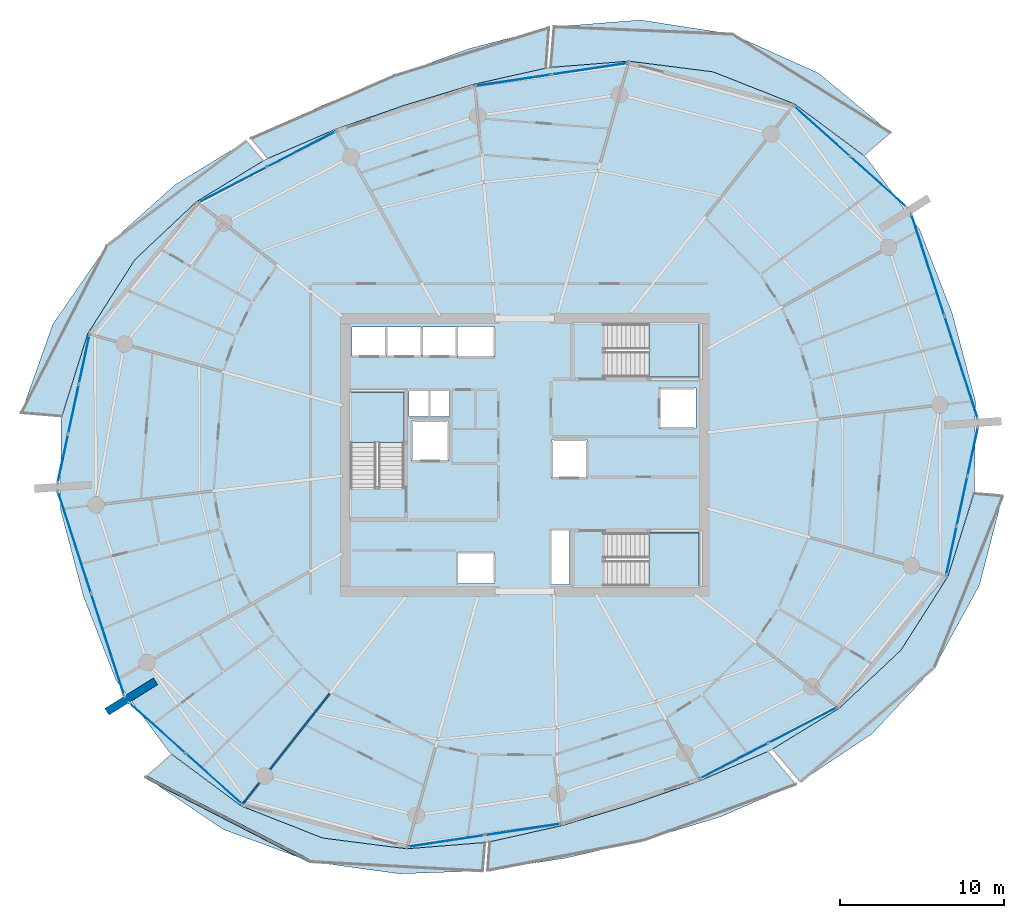
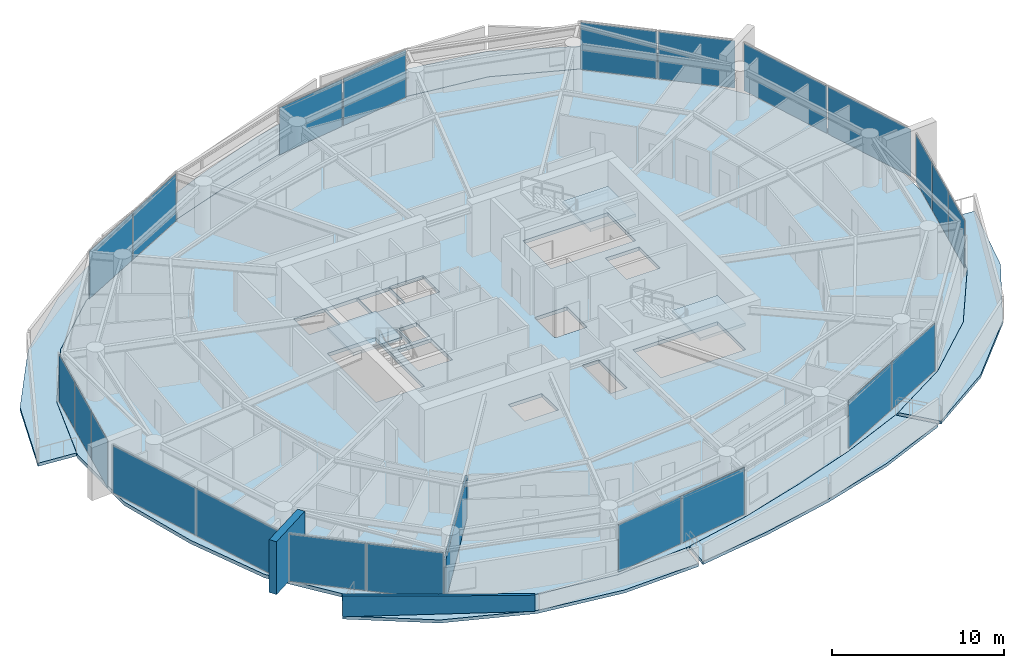
# One storey, part 10 of 21: 22 plates, 10 slabs, 3 walls, 13 elements without a shape of their own.
"""IFC4 building model written with IfcOpenShell, lengths in metres."""

from ifc_helpers import new_model, si_unit, direction, frame, frame_2d, origin, origin_2d, place, context, subcontext, project, spatial, polyline, rectangle, outline, extrude, material, layer, layer_set, type_object, element, aggregate, save


model = new_model("IFC4")

# Units and contexts
model_context = context("Model", 3, precision=1e-05, world=origin(), true_north=direction((0.0, 1.0)))
body_context = subcontext(model_context, "Body", "Model", "MODEL_VIEW")
ifc_project = project(units=[si_unit("LENGTHUNIT", "METRE"), si_unit("AREAUNIT", "SQUARE_METRE"), si_unit("VOLUMEUNIT", "CUBIC_METRE"), si_unit("PLANEANGLEUNIT", "RADIAN"), si_unit("MASSUNIT", "GRAM", prefix="KILO")], contexts=[model_context])

# Site, building, storey
site_placement = place(None, origin())
site = spatial("IfcSite", under=ifc_project, at=site_placement, CompositionType="ELEMENT")
building_placement = place(site_placement, origin())
building = spatial("IfcBuilding", under=site, at=building_placement, Name="Kazma Halo Residences", CompositionType="ELEMENT")
storey_placement = place(building_placement, frame((0.0, 0.0, 191.550048828125)))
storey = spatial("IfcBuildingStorey", under=building, at=storey_placement, Name="L48", CompositionType="ELEMENT", Elevation=191.550048828125)

# Curtain wall, plates
ifc_material_1 = material(Name="Aluminium AW-6063 T6 and Triple-Silver Low-E Glass", Category="aluminium")
ifc_layer_1 = layer(ifc_material_1, 0.219970703125)
ifc_layer_set_1 = layer_set([ifc_layer_1], Name="Aluminium AW-6063 T6 and Triple-Silver Low-E Glass")
curtain_wall_type = type_object("IfcCurtainWallType", Name="CW-SYS-4", PredefinedType="NOTDEFINED", material=ifc_layer_set_1)
curtain_wall_1_placement = place(storey_placement, origin())
curtain_wall_1 = element("IfcCurtainWall", 1, at=curtain_wall_1_placement, inside=storey, type_object=curtain_wall_type, Name="L48 unitised curtain wall B01", PredefinedType="NOTDEFINED")
ifc_material_2 = material(Name="Clear Triple-Silver Low-E Glass IGU", Category="glass")
ifc_layer_2 = layer(ifc_material_2, 0.033935546875)
ifc_layer_set_2 = layer_set([ifc_layer_2], Name="Clear Triple-Silver Low-E Glass IGU")
plate_type = type_object("IfcPlateType", Name="CW-SYS-4-PNL", PredefinedType="CURTAIN_PANEL", material=ifc_layer_set_2)
plate_1_placement = place(storey_placement, frame((70.001220703125, 58.669677734375, 0.074951171875), z_axis=(0.0, 0.0, 1.0), x_axis=(-0.744354814723, 0.667784328806, 0.0)))
plate_1 = element("IfcPlate", 2, at=plate_1_placement, type_object=plate_type, Name="CWS-4 panel 1.1", PredefinedType="CURTAIN_PANEL", context=body_context, shape_type="SweptSolid", body=[
    extrude(rectangle(XDim=4.5478515625, YDim=0.033935546875, at=origin_2d()), origin(), (0.0, 0.0, 1.0), 3.35009765625),
])
plate_2_placement = place(storey_placement, frame((66.56005859375, 61.7568359375, 0.074951171875), z_axis=(0.0, 0.0, 1.0), x_axis=(-0.744354814723, 0.667784328806, 0.0)))
plate_2 = element("IfcPlate", 3, at=plate_2_placement, type_object=plate_type, Name="CWS-4 panel 2.1", PredefinedType="CURTAIN_PANEL", context=body_context, shape_type="SweptSolid", body=[
    extrude(rectangle(XDim=4.5478515625, YDim=0.033935546875, at=origin_2d()), origin(), (0.0, 0.0, 1.0), 3.35009765625),
])
aggregate(curtain_wall_1, [plate_1, plate_2])

curtain_wall_2_placement = place(storey_placement, origin())
curtain_wall_2 = element("IfcCurtainWall", 4, at=curtain_wall_2_placement, inside=storey, type_object=curtain_wall_type, Name="L48 unitised curtain wall B03", PredefinedType="NOTDEFINED")
plate_3_placement = place(storey_placement, frame((52.375, 65.562255859375, 0.074951171875), z_axis=(0.0, 0.0, 1.0), x_axis=(-0.988871428361, -0.148772639188, 0.0)))
plate_3 = element("IfcPlate", 5, at=plate_3_placement, type_object=plate_type, Name="CWS-4 panel 1.1", PredefinedType="CURTAIN_PANEL", context=body_context, shape_type="SweptSolid", body=[
    extrude(rectangle(XDim=4.64501953125, YDim=0.033935546875, at=origin_2d()), origin(), (0.0, 0.0, 1.0), 3.35009765625),
])
plate_4_placement = place(storey_placement, frame((47.70751953125, 64.860107421875, 0.074951171875), z_axis=(0.0, 0.0, 1.0), x_axis=(-0.988871428361, -0.148772639188, 0.0)))
plate_4 = element("IfcPlate", 6, at=plate_4_placement, type_object=plate_type, Name="CWS-4 panel 2.1", PredefinedType="CURTAIN_PANEL", context=body_context, shape_type="SweptSolid", body=[
    extrude(rectangle(XDim=4.64501953125, YDim=0.033935546875, at=origin_2d()), origin(), (0.0, 0.0, 1.0), 3.35009765625),
])
aggregate(curtain_wall_2, [plate_3, plate_4])

curtain_wall_3_placement = place(storey_placement, origin())
curtain_wall_3 = element("IfcCurtainWall", 7, at=curtain_wall_3_placement, inside=storey, type_object=curtain_wall_type, Name="L48 unitised curtain wall B05", PredefinedType="NOTDEFINED")
plate_5_placement = place(storey_placement, frame((34.7998046875, 60.666015625, 0.074951171875), z_axis=(0.0, 0.0, 1.0), x_axis=(-0.887465657575, -0.460873851097, 0.0)))
plate_5 = element("IfcPlate", 8, at=plate_5_placement, type_object=plate_type, Name="CWS-4 panel 1.1", PredefinedType="CURTAIN_PANEL", context=body_context, shape_type="SweptSolid", body=[
    extrude(rectangle(XDim=4.64501953125, YDim=0.033935546875, at=origin_2d()), origin(), (0.0, 0.0, 1.0), 3.35009765625),
])
plate_6_placement = place(storey_placement, frame((30.61083984375, 58.49072265625, 0.074951171875), z_axis=(0.0, 0.0, 1.0), x_axis=(-0.887465657575, -0.460873851097, 0.0)))
plate_6 = element("IfcPlate", 9, at=plate_6_placement, type_object=plate_type, Name="CWS-4 panel 2.1", PredefinedType="CURTAIN_PANEL", context=body_context, shape_type="SweptSolid", body=[
    extrude(rectangle(XDim=4.64501953125, YDim=0.033935546875, at=origin_2d()), origin(), (0.0, 0.0, 1.0), 3.35009765625),
])
aggregate(curtain_wall_3, [plate_5, plate_6])

curtain_wall_4_placement = place(storey_placement, origin())
curtain_wall_4 = element("IfcCurtainWall", 10, at=curtain_wall_4_placement, inside=storey, type_object=curtain_wall_type, Name="L48 unitised curtain wall B07", PredefinedType="NOTDEFINED")
plate_7_placement = place(storey_placement, frame((21.53466796875, 47.833740234375, 0.074951171875), z_axis=(0.0, 0.0, 1.0), x_axis=(-0.209689543175, -0.977768017212, 0.0)))
plate_7 = element("IfcPlate", 11, at=plate_7_placement, type_object=plate_type, Name="CWS-4 panel 1.1", PredefinedType="CURTAIN_PANEL", context=body_context, shape_type="SweptSolid", body=[
    extrude(rectangle(XDim=2.994384765625, YDim=0.033935546875, at=origin_2d()), origin(), (0.0, 0.0, 1.0), 3.35009765625),
])
plate_8_placement = place(storey_placement, frame((20.88720703125, 44.814208984375, 0.074951171875), z_axis=(0.0, 0.0, 1.0), x_axis=(-0.209689543175, -0.977768017212, 0.0)))
plate_8 = element("IfcPlate", 12, at=plate_8_placement, type_object=plate_type, Name="CWS-4 panel 2.1", PredefinedType="CURTAIN_PANEL", context=body_context, shape_type="SweptSolid", body=[
    extrude(rectangle(XDim=3.031982421875, YDim=0.033935546875, at=origin_2d()), origin(), (0.0, 0.0, 1.0), 3.35009765625),
])
plate_9_placement = place(storey_placement, frame((20.239501953125, 41.794677734375, 0.074951171875), z_axis=(0.0, 0.0, 1.0), x_axis=(-0.209689543175, -0.977768017212, 0.0)))
plate_9 = element("IfcPlate", 13, at=plate_9_placement, type_object=plate_type, Name="CWS-4 panel 3.1", PredefinedType="CURTAIN_PANEL", context=body_context, shape_type="SweptSolid", body=[
    extrude(rectangle(XDim=2.994384765625, YDim=0.033935546875, at=origin_2d()), origin(), (0.0, 0.0, 1.0), 3.35009765625),
])
aggregate(curtain_wall_4, [plate_7, plate_8, plate_9])

curtain_wall_5_placement = place(storey_placement, origin())
curtain_wall_5 = element("IfcCurtainWall", 14, at=curtain_wall_5_placement, inside=storey, type_object=curtain_wall_type, Name="L48 unitised curtain wall B08", PredefinedType="NOTDEFINED")
plate_10_placement = place(storey_placement, frame((20.942626953125, 36.658447265625, 0.074951171875), z_axis=(0.0, 0.0, 1.0), x_axis=(0.309015833038, -0.951056893636, 0.0)))
plate_10 = element("IfcPlate", 15, at=plate_10_placement, type_object=plate_type, Name="CWS-4 panel 1.1", PredefinedType="CURTAIN_PANEL", context=body_context, shape_type="SweptSolid", body=[
    extrude(rectangle(XDim=6.487060546875, YDim=0.033935546875, at=origin_2d()), origin(), (0.0, 0.0, 1.0), 3.35009765625),
])
plate_11_placement = place(storey_placement, frame((22.970458984375, 30.41748046875, 0.074951171875), z_axis=(0.0, 0.0, 1.0), x_axis=(0.309015833038, -0.951056893636, 0.0)))
plate_11 = element("IfcPlate", 16, at=plate_11_placement, type_object=plate_type, Name="CWS-4 panel 2.1", PredefinedType="CURTAIN_PANEL", context=body_context, shape_type="SweptSolid", body=[
    extrude(rectangle(XDim=6.487060546875, YDim=0.033935546875, at=origin_2d()), origin(), (0.0, 0.0, 1.0), 3.35009765625),
])
aggregate(curtain_wall_5, [plate_10, plate_11])

curtain_wall_6_placement = place(storey_placement, origin())
curtain_wall_6 = element("IfcCurtainWall", 17, at=curtain_wall_6_placement, inside=storey, type_object=curtain_wall_type, Name="L48 unitised curtain wall B09", PredefinedType="NOTDEFINED")
plate_12_placement = place(storey_placement, frame((25.998779296875, 25.330322265625, 0.074951171875), z_axis=(0.0, 0.0, 1.0), x_axis=(0.744354814723, -0.667784328806, 0.0)))
plate_12 = element("IfcPlate", 18, at=plate_12_placement, type_object=plate_type, Name="CWS-4 panel 1.1", PredefinedType="CURTAIN_PANEL", context=body_context, shape_type="SweptSolid", body=[
    extrude(rectangle(XDim=4.5478515625, YDim=0.033935546875, at=origin_2d()), origin(), (0.0, 0.0, 1.0), 3.35009765625),
])
plate_13_placement = place(storey_placement, frame((29.43994140625, 22.2431640625, 0.074951171875), z_axis=(0.0, 0.0, 1.0), x_axis=(0.744354814723, -0.667784328806, 0.0)))
plate_13 = element("IfcPlate", 19, at=plate_13_placement, type_object=plate_type, Name="CWS-4 panel 2.1", PredefinedType="CURTAIN_PANEL", context=body_context, shape_type="SweptSolid", body=[
    extrude(rectangle(XDim=4.5478515625, YDim=0.033935546875, at=origin_2d()), origin(), (0.0, 0.0, 1.0), 3.35009765625),
])
aggregate(curtain_wall_6, [plate_12, plate_13])

curtain_wall_7_placement = place(storey_placement, origin())
curtain_wall_7 = element("IfcCurtainWall", 20, at=curtain_wall_7_placement, inside=storey, type_object=curtain_wall_type, Name="L48 unitised curtain wall B11", PredefinedType="NOTDEFINED")
plate_14_placement = place(storey_placement, frame((43.625, 18.437744140625, 0.074951171875), z_axis=(0.0, 0.0, 1.0), x_axis=(0.988871428361, 0.148772639188, 0.0)))
plate_14 = element("IfcPlate", 21, at=plate_14_placement, type_object=plate_type, Name="CWS-4 panel 1.1", PredefinedType="CURTAIN_PANEL", context=body_context, shape_type="SweptSolid", body=[
    extrude(rectangle(XDim=4.64501953125, YDim=0.033935546875, at=origin_2d()), origin(), (0.0, 0.0, 1.0), 3.35009765625),
])
plate_15_placement = place(storey_placement, frame((48.29248046875, 19.139892578125, 0.074951171875), z_axis=(0.0, 0.0, 1.0), x_axis=(0.988871428361, 0.148772639188, 0.0)))
plate_15 = element("IfcPlate", 22, at=plate_15_placement, type_object=plate_type, Name="CWS-4 panel 2.1", PredefinedType="CURTAIN_PANEL", context=body_context, shape_type="SweptSolid", body=[
    extrude(rectangle(XDim=4.64501953125, YDim=0.033935546875, at=origin_2d()), origin(), (0.0, 0.0, 1.0), 3.35009765625),
])
aggregate(curtain_wall_7, [plate_14, plate_15])

curtain_wall_8_placement = place(storey_placement, origin())
curtain_wall_8 = element("IfcCurtainWall", 23, at=curtain_wall_8_placement, inside=storey, type_object=curtain_wall_type, Name="L48 unitised curtain wall B13", PredefinedType="NOTDEFINED")
plate_16_placement = place(storey_placement, frame((61.2001953125, 23.333984375, 0.074951171875), z_axis=(0.0, 0.0, 1.0), x_axis=(0.887465657575, 0.460873851097, 0.0)))
plate_16 = element("IfcPlate", 24, at=plate_16_placement, type_object=plate_type, Name="CWS-4 panel 1.1", PredefinedType="CURTAIN_PANEL", context=body_context, shape_type="SweptSolid", body=[
    extrude(rectangle(XDim=4.64501953125, YDim=0.033935546875, at=origin_2d()), origin(), (0.0, 0.0, 1.0), 3.35009765625),
])
plate_17_placement = place(storey_placement, frame((65.38916015625, 25.50927734375, 0.074951171875), z_axis=(0.0, 0.0, 1.0), x_axis=(0.887465657575, 0.460873851097, 0.0)))
plate_17 = element("IfcPlate", 25, at=plate_17_placement, type_object=plate_type, Name="CWS-4 panel 2.1", PredefinedType="CURTAIN_PANEL", context=body_context, shape_type="SweptSolid", body=[
    extrude(rectangle(XDim=4.64501953125, YDim=0.033935546875, at=origin_2d()), origin(), (0.0, 0.0, 1.0), 3.35009765625),
])
aggregate(curtain_wall_8, [plate_16, plate_17])

curtain_wall_9_placement = place(storey_placement, origin())
curtain_wall_9 = element("IfcCurtainWall", 26, at=curtain_wall_9_placement, inside=storey, type_object=curtain_wall_type, Name="L48 unitised curtain wall B15", PredefinedType="NOTDEFINED")
plate_18_placement = place(storey_placement, frame((74.46533203125, 36.166259765625, 0.074951171875), z_axis=(0.0, 0.0, 1.0), x_axis=(0.209689543175, 0.977768017212, 0.0)))
plate_18 = element("IfcPlate", 27, at=plate_18_placement, type_object=plate_type, Name="CWS-4 panel 1.1", PredefinedType="CURTAIN_PANEL", context=body_context, shape_type="SweptSolid", body=[
    extrude(rectangle(XDim=2.994384765625, YDim=0.033935546875, at=origin_2d()), origin(), (0.0, 0.0, 1.0), 3.35009765625),
])
plate_19_placement = place(storey_placement, frame((75.11279296875, 39.185791015625, 0.074951171875), z_axis=(0.0, 0.0, 1.0), x_axis=(0.209689543175, 0.977768017212, 0.0)))
plate_19 = element("IfcPlate", 28, at=plate_19_placement, type_object=plate_type, Name="CWS-4 panel 2.1", PredefinedType="CURTAIN_PANEL", context=body_context, shape_type="SweptSolid", body=[
    extrude(rectangle(XDim=3.031982421875, YDim=0.033935546875, at=origin_2d()), origin(), (0.0, 0.0, 1.0), 3.35009765625),
])
plate_20_placement = place(storey_placement, frame((75.760498046875, 42.205322265625, 0.074951171875), z_axis=(0.0, 0.0, 1.0), x_axis=(0.209689543175, 0.977768017212, 0.0)))
plate_20 = element("IfcPlate", 29, at=plate_20_placement, type_object=plate_type, Name="CWS-4 panel 3.1", PredefinedType="CURTAIN_PANEL", context=body_context, shape_type="SweptSolid", body=[
    extrude(rectangle(XDim=2.994384765625, YDim=0.033935546875, at=origin_2d()), origin(), (0.0, 0.0, 1.0), 3.35009765625),
])
aggregate(curtain_wall_9, [plate_18, plate_19, plate_20])

curtain_wall_10_placement = place(storey_placement, origin())
curtain_wall_10 = element("IfcCurtainWall", 30, at=curtain_wall_10_placement, inside=storey, type_object=curtain_wall_type, Name="L48 unitised curtain wall B16", PredefinedType="NOTDEFINED")
plate_21_placement = place(storey_placement, frame((75.057373046875, 47.341552734375, 0.074951171875), z_axis=(0.0, 0.0, 1.0), x_axis=(-0.309015833038, 0.951056893636, 0.0)))
plate_21 = element("IfcPlate", 31, at=plate_21_placement, type_object=plate_type, Name="CWS-4 panel 1.1", PredefinedType="CURTAIN_PANEL", context=body_context, shape_type="SweptSolid", body=[
    extrude(rectangle(XDim=6.487060546875, YDim=0.033935546875, at=origin_2d()), origin(), (0.0, 0.0, 1.0), 3.35009765625),
])
plate_22_placement = place(storey_placement, frame((73.029541015625, 53.58251953125, 0.074951171875), z_axis=(0.0, 0.0, 1.0), x_axis=(-0.309015833038, 0.951056893636, 0.0)))
plate_22 = element("IfcPlate", 32, at=plate_22_placement, type_object=plate_type, Name="CWS-4 panel 2.1", PredefinedType="CURTAIN_PANEL", context=body_context, shape_type="SweptSolid", body=[
    extrude(rectangle(XDim=6.487060546875, YDim=0.033935546875, at=origin_2d()), origin(), (0.0, 0.0, 1.0), 3.35009765625),
])
aggregate(curtain_wall_10, [plate_21, plate_22])

# Slabs
ifc_material_3 = material(Name="White Concrete C50/60", Category="concrete")
ifc_layer_3 = layer(ifc_material_3, 0.219970703125)
ifc_layer_set_3 = layer_set([ifc_layer_3], Name="White Concrete C50/60")
slab_type_1 = type_object("IfcSlabType", Name="SLB-BAL-WAVE-210", PredefinedType="FLOOR", material=ifc_layer_set_3)
slab_1_placement = place(storey_placement, frame((0.0, 0.0, -0.219970703125)))
element("IfcSlab", 33, at=slab_1_placement, inside=storey, type_object=slab_type_1, Name="L48 NE cantilevered wave balcony slab", PredefinedType="FLOOR", context=body_context, shape_type="SweptSolid", body=[
    extrude(outline(polyline([(69.130126953125, 60.271240234375), (64.88720703125, 63.421142578125), (59.913818359375, 65.382080078125), (54.779052734375, 66.036376953125), (50.007080078125, 65.656005859375), (50.21728515625, 68.130615234375), (55.48681640625, 68.546630859375), (61.084228515625, 67.679443359375), (66.36474609375, 65.295654296875), (70.740234375, 61.66357421875), (69.130126953125, 60.271240234375)])), origin(), (0.0, 0.0, 1.0), 0.219970703125),
])
slab_2_placement = place(storey_placement, frame((0.0, 0.0, -0.219970703125)))
element("IfcSlab", 34, at=slab_2_placement, inside=storey, type_object=slab_type_1, Name="L48 NNW cantilevered wave balcony slab", PredefinedType="FLOOR", context=body_context, shape_type="SweptSolid", body=[
    extrude(outline(polyline([(49.713134765625, 65.612060546875), (45.322265625, 64.62451171875), (41.066650390625, 63.338623046875), (36.867919921875, 61.877685546875), (32.735107421875, 60.095458984375), (31.71337890625, 61.306884765625), (36.05419921875, 63.330810546875), (40.479736328125, 65.144775390625), (45.063720703125, 66.80859375), (49.8916015625, 68.071044921875), (49.713134765625, 65.612060546875)])), origin(), (0.0, 0.0, 1.0), 0.219970703125),
])
slab_3_placement = place(storey_placement, frame((0.0, 0.0, -0.219970703125)))
element("IfcSlab", 35, at=slab_3_placement, inside=storey, type_object=slab_type_1, Name="L48 NW cantilevered wave balcony slab", PredefinedType="FLOOR", context=body_context, shape_type="SweptSolid", body=[
    extrude(outline(polyline([(32.471435546875, 59.958251953125), (28.387451171875, 57.461181640625), (24.617919921875, 53.913818359375), (21.7470703125, 49.404052734375), (20.165771484375, 44.36181640625), (17.694580078125, 44.5712890625), (19.630126953125, 50.001220703125), (22.926025390625, 54.77587890625), (27.079345703125, 58.492431640625), (31.431884765625, 61.160400390625), (32.471435546875, 59.958251953125)])), origin(), (0.0, 0.0, 1.0), 0.219970703125),
])
slab_4_placement = place(storey_placement, frame((0.0, 0.0, -0.219970703125)))
element("IfcSlab", 36, at=slab_4_placement, inside=storey, type_object=slab_type_1, Name="L48 SW cantilevered wave balcony slab", PredefinedType="FLOOR", context=body_context, shape_type="SweptSolid", body=[
    extrude(outline(polyline([(26.869873046875, 23.728759765625), (31.11279296875, 20.578857421875), (36.086181640625, 18.617919921875), (41.220947265625, 17.963623046875), (45.992919921875, 18.343994140625), (45.84619140625, 16.615478515625), (40.7900390625, 16.435302734375), (35.351806640625, 17.1767578125), (29.992919921875, 19.158203125), (25.274169921875, 22.34912109375), (26.869873046875, 23.728759765625)])), origin(), (0.0, 0.0, 1.0), 0.219970703125),
])
slab_5_placement = place(storey_placement, frame((0.0, 0.0, -0.219970703125)))
element("IfcSlab", 37, at=slab_5_placement, inside=storey, type_object=slab_type_1, Name="L48 SSE cantilevered wave balcony slab", PredefinedType="FLOOR", context=body_context, shape_type="SweptSolid", body=[
    extrude(outline(polyline([(46.286865234375, 18.387939453125), (50.677734375, 19.37548828125), (54.933349609375, 20.661376953125), (59.132080078125, 22.122314453125), (63.264892578125, 23.904541015625), (64.95703125, 21.8984375), (60.368408203125, 19.914794921875), (55.64306640625, 18.476806640625), (50.91259765625, 17.392822265625), (46.16064453125, 16.648681640625), (46.286865234375, 18.387939453125)])), origin(), (0.0, 0.0, 1.0), 0.219970703125),
])
slab_6_placement = place(storey_placement, frame((0.0, 0.0, -0.219970703125)))
element("IfcSlab", 38, at=slab_6_placement, inside=storey, type_object=slab_type_1, Name="L48 SE cantilevered wave balcony slab", PredefinedType="FLOOR", context=body_context, shape_type="SweptSolid", body=[
    extrude(outline(polyline([(63.528564453125, 24.041748046875), (67.612548828125, 26.538818359375), (71.382080078125, 30.086181640625), (74.2529296875, 34.595947265625), (75.834228515625, 39.63818359375), (77.586181640625, 39.489501953125), (76.174560546875, 34.053955078125), (73.4287109375, 29.04345703125), (69.599609375, 24.97216796875), (65.248291015625, 22.052978515625), (63.528564453125, 24.041748046875)])), origin(), (0.0, 0.0, 1.0), 0.219970703125),
])
ifc_material_4 = material(Name="Concrete C50/60", Category="concrete")
ifc_layer_4 = layer(ifc_material_4, 0.25)
ifc_layer_set_4 = layer_set([ifc_layer_4], Name="Concrete C50/60")
slab_type_2 = type_object("IfcSlabType", Name="SLB-RES-250", PredefinedType="FLOOR", material=ifc_layer_set_4)
slab_7_placement = place(storey_placement, frame((0.0, 0.0, -0.25)))
element("IfcSlab", 39, at=slab_7_placement, inside=storey, type_object=slab_type_2, Name="L48 structural floor slab", PredefinedType="FLOOR", context=body_context, shape_type="SweptSolid", body=[
    extrude(outline(polyline([(74.521484375, 50.617431640625), (72.531982421875, 55.738525390625), (69.2587890625, 60.156494140625), (64.8857421875, 63.41943359375), (59.912841796875, 65.380126953125), (54.7783203125, 66.034423828125), (49.860595703125, 65.64111328125), (45.322509765625, 64.62255859375), (41.0673828125, 63.336669921875), (36.868896484375, 61.875732421875), (32.598876953125, 60.032470703125), (28.388916015625, 57.460205078125), (24.619873046875, 53.912841796875), (21.7490234375, 49.403564453125), (20.129150390625, 44.193603515625), (20.07763671875, 38.6953125), (21.478515625, 33.382568359375), (23.468017578125, 28.261474609375), (26.7412109375, 23.843505859375), (31.1142578125, 20.58056640625), (36.087158203125, 18.619873046875), (41.2216796875, 17.965576171875), (46.139404296875, 18.35888671875), (50.677490234375, 19.37744140625), (54.9326171875, 20.663330078125), (59.131103515625, 22.124267578125), (63.401123046875, 23.967529296875), (67.611083984375, 26.539794921875), (71.380126953125, 30.087158203125), (74.2509765625, 34.596435546875), (75.870849609375, 39.806396484375), (75.92236328125, 45.3046875), (74.521484375, 50.617431640625)]), holes=[polyline([(37.800048828125, 40.110107421875), (41.050048828125, 40.110107421875), (41.050048828125, 45.800048828125), (37.800048828125, 45.800048828125), (37.800048828125, 40.110107421875)]), polyline([(53.360107421875, 46.75), (59.050048828125, 46.75), (59.050048828125, 50.0), (53.360107421875, 50.0), (53.360107421875, 46.75)]), polyline([(53.360107421875, 34.0), (59.050048828125, 34.0), (59.050048828125, 37.25), (53.360107421875, 37.25), (53.360107421875, 34.0)]), polyline([(41.52001953125, 41.6201171875), (43.780029296875, 41.6201171875), (43.780029296875, 44.080078125), (41.52001953125, 44.080078125), (41.52001953125, 41.6201171875)]), polyline([(56.6201171875, 43.6201171875), (58.8798828125, 43.6201171875), (58.8798828125, 46.080078125), (56.6201171875, 46.080078125), (56.6201171875, 43.6201171875)]), polyline([(37.864990234375, 47.9951171875), (39.97509765625, 47.9951171875), (39.97509765625, 49.804931640625), (37.864990234375, 49.804931640625), (37.864990234375, 47.9951171875)]), polyline([(40.014892578125, 47.9951171875), (42.125, 47.9951171875), (42.125, 49.804931640625), (40.014892578125, 49.804931640625), (40.014892578125, 47.9951171875)]), polyline([(42.1650390625, 47.9951171875), (44.27490234375, 47.9951171875), (44.27490234375, 49.804931640625), (42.1650390625, 49.804931640625), (42.1650390625, 47.9951171875)]), polyline([(44.320068359375, 47.945068359375), (46.580078125, 47.945068359375), (46.580078125, 49.85498046875), (44.320068359375, 49.85498046875), (44.320068359375, 47.945068359375)]), polyline([(44.320068359375, 34.14501953125), (46.580078125, 34.14501953125), (46.580078125, 36.054931640625), (44.320068359375, 36.054931640625), (44.320068359375, 34.14501953125)]), polyline([(50.070068359375, 40.570068359375), (52.22998046875, 40.570068359375), (52.22998046875, 42.929931640625), (50.070068359375, 42.929931640625), (50.070068359375, 40.570068359375)]), polyline([(41.360107421875, 44.340087890625), (42.5400390625, 44.340087890625), (42.5400390625, 45.89990234375), (41.360107421875, 45.89990234375), (41.360107421875, 44.340087890625)]), polyline([(42.659912109375, 44.340087890625), (43.840087890625, 44.340087890625), (43.840087890625, 45.89990234375), (42.659912109375, 45.89990234375), (42.659912109375, 44.340087890625)]), polyline([(50.06005859375, 34.080078125), (51.159912109375, 34.080078125), (51.159912109375, 37.3798828125), (50.06005859375, 37.3798828125), (50.06005859375, 34.080078125)])]), origin(), (0.0, 0.0, 1.0), 0.25),
])

# Stair, slab
stair_type = type_object("IfcStairType", Name="STR-RES1", PredefinedType="HALF_TURN_STAIR", material=ifc_material_4)
stair_1_placement = place(storey_placement, origin())
stair_1 = element("IfcStair", 40, at=stair_1_placement, inside=storey, type_object=stair_type, Name="L48 Core exit stair ST-01", PredefinedType="HALF_TURN_STAIR")
ifc_layer_5 = layer(ifc_material_4, 0.199951171875)
ifc_layer_set_5 = layer_set([ifc_layer_5], Name="Concrete C50/60")
slab_type_3 = type_object("IfcSlabType", Name="SLB-STAIR-LND-200", PredefinedType="LANDING", material=ifc_layer_set_5)
slab_8_placement = place(storey_placement, frame((0.0, 0.0, 1.675048828125)))
slab_8 = element("IfcSlab", 41, at=slab_8_placement, type_object=slab_type_3, Name="ST-01 landing 1", PredefinedType="LANDING", context=body_context, shape_type="SweptSolid", body=[
    extrude(outline(polyline([(41.050048828125, 42.75), (41.050048828125, 45.800048828125), (37.800048828125, 45.800048828125), (37.800048828125, 42.75), (41.050048828125, 42.75)])), origin(), (0.0, 0.0, 1.0), 0.199951171875),
])
aggregate(stair_1, [slab_8])

stair_2_placement = place(storey_placement, origin())
stair_2 = element("IfcStair", 42, at=stair_2_placement, inside=storey, type_object=stair_type, Name="L48 Core exit stair ST-02", PredefinedType="HALF_TURN_STAIR")
slab_9_placement = place(storey_placement, frame((0.0, 0.0, 1.675048828125)))
slab_9 = element("IfcSlab", 43, at=slab_9_placement, type_object=slab_type_3, Name="ST-02 landing 1", PredefinedType="LANDING", context=body_context, shape_type="SweptSolid", body=[
    extrude(outline(polyline([(56.0, 46.75), (59.050048828125, 46.75), (59.050048828125, 50.0), (56.0, 50.0), (56.0, 46.75)])), origin(), (0.0, 0.0, 1.0), 0.199951171875),
])
aggregate(stair_2, [slab_9])

stair_3_placement = place(storey_placement, origin())
stair_3 = element("IfcStair", 44, at=stair_3_placement, inside=storey, type_object=stair_type, Name="L48 Core exit stair ST-03", PredefinedType="HALF_TURN_STAIR")
slab_10_placement = place(storey_placement, frame((0.0, 0.0, 1.675048828125)))
slab_10 = element("IfcSlab", 45, at=slab_10_placement, type_object=slab_type_3, Name="ST-03 landing 1", PredefinedType="LANDING", context=body_context, shape_type="SweptSolid", body=[
    extrude(outline(polyline([(56.0, 34.0), (59.050048828125, 34.0), (59.050048828125, 37.25), (56.0, 37.25), (56.0, 34.0)])), origin(), (0.0, 0.0, 1.0), 0.199951171875),
])
aggregate(stair_3, [slab_10])

# Walls
ifc_material_5 = material(Name="White Concrete C50/60 Balustrade", Category="concrete")
ifc_layer_6 = layer(ifc_material_5, 0.179931640625)
ifc_layer_set_6 = layer_set([ifc_layer_6], Name="White Concrete C50/60 Balustrade")
wall_type_1 = type_object("IfcWallType", Name="WL-BAL-WAVE-180", PredefinedType="PARAPET", material=ifc_layer_set_6)
wall_1_placement = place(storey_placement, frame((25.274169921875, 22.34912109375, 0.0), z_axis=(0.0, 0.0, 1.0), x_axis=(0.889659107665, -0.456625308266, 0.0)))
element("IfcWall", 46, at=wall_1_placement, inside=storey, type_object=wall_type_1, Name="L48 white wave balustrade wall SW.1", PredefinedType="PARAPET", context=body_context, shape_type="SweptSolid", body=[
    extrude(outline(polyline([(0.0, 0.0), (11.20751953125, 0.0), (11.20751953125, 1.14794921875), (5.603759765625, 1.283935546875), (0.0, 1.48291015625), (0.0, 0.0)])), frame((0.0, 0.08984375, 0.0), z_axis=(0.0, -1.0, 0.0), x_axis=(1.0, 0.0, 0.0)), (0.0, 0.0, 1.0), 0.179931640625),
])
ifc_material_6 = material(Name="Pale Concrete C60/75", Category="concrete")
ifc_layer_7 = layer(ifc_material_6, 0.47998046875)
ifc_layer_set_7 = layer_set([ifc_layer_7], Name="Pale Concrete C60/75")
wall_type_2 = type_object("IfcWallType", Name="WL-BLADE-480", PredefinedType="SOLIDWALL", material=ifc_layer_set_7)
wall_2_placement = place(storey_placement, frame((25.88623046875, 28.181884765625, 0.0), z_axis=(0.0, 0.0, 1.0), x_axis=(-0.848033572426, -0.529942506352, 0.0)))
element("IfcWall", 47, at=wall_2_placement, inside=storey, type_object=wall_type_2, Name="L48 pale concrete structural blade fin wall BW-03", PredefinedType="SOLIDWALL", context=body_context, shape_type="SweptSolid", body=[
    extrude(rectangle(XDim=3.5, YDim=0.47998046875, at=frame_2d((1.75, 0.0))), origin(), (0.0, 0.0, 1.0), 3.75),
])
ifc_material_7 = material(Name="Gypsum Plasterboard Partition")
ifc_layer_8 = layer(ifc_material_7, 0.125)
ifc_layer_set_8 = layer_set([ifc_layer_8], Name="Gypsum Plasterboard Partition")
wall_type_3 = type_object("IfcWallType", Name="WL-PART-125", PredefinedType="PARTITIONING", material=ifc_layer_set_8)
wall_3_placement = place(storey_placement, frame((36.517578125, 27.434814453125, 0.0), z_axis=(0.0, 0.0, 1.0), x_axis=(-0.619076951814, -0.785330330328, 0.0)))
element("IfcWall", 48, at=wall_3_placement, inside=storey, type_object=wall_type_3, Name="L48 Apartment 2 radial partition 9", PredefinedType="PARTITIONING", context=body_context, shape_type="SweptSolid", body=[
    extrude(rectangle(XDim=8.583251953125, YDim=0.125, at=frame_2d((4.29150390625, 0.0))), origin(), (0.0, 0.0, 1.0), 2.93994140625),
])

save(model, "model.ifc")
